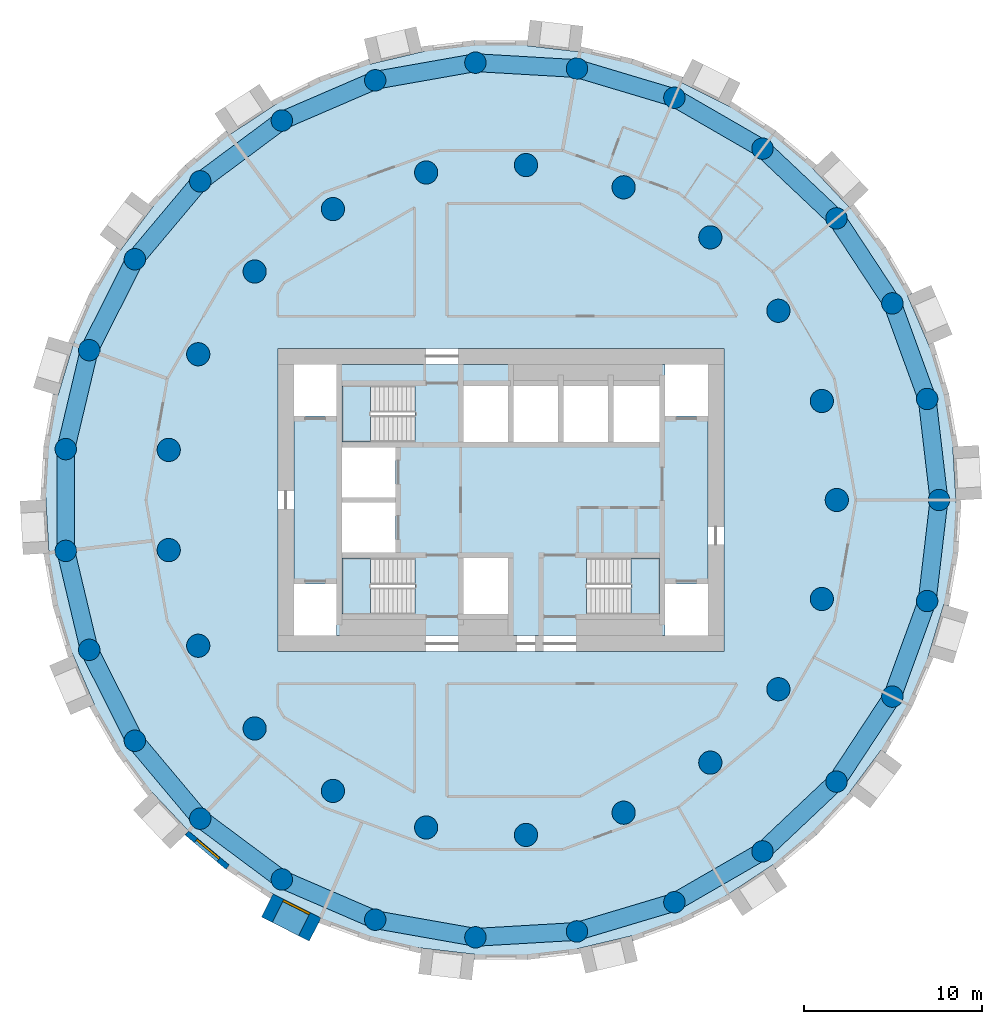
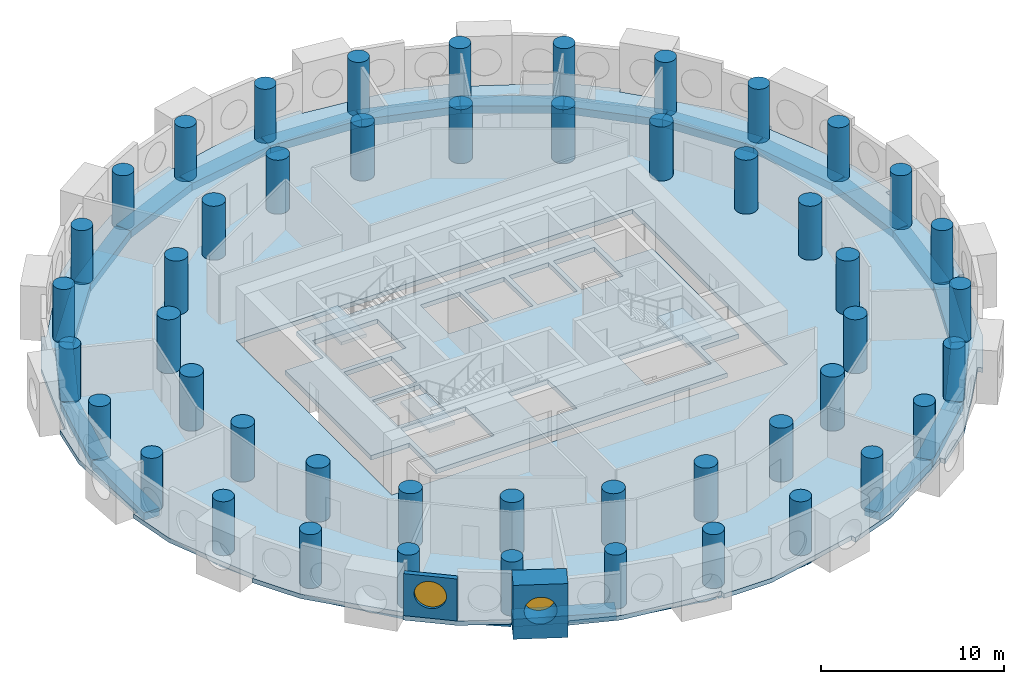
# One storey, part 1 of 9: 48 columns, 27 beams, 5 slabs, 2 walls, 2 windows, 2 openings, 3 elements without a shape of their own.
"""IFC4 building model written with IfcOpenShell, lengths in metres."""

from ifc_helpers import new_model, si_unit, direction, frame, frame_2d, origin, origin_2d, place, context, subcontext, project, spatial, polyline, rectangle, circle, outline, extrude, material, layer, layer_set, material_profile, profile_set, type_object, element, fill, aggregate, save


model = new_model("IFC4")

# Units and contexts
model_context = context("Model", 3, precision=1e-05, world=origin(), true_north=direction((0.0, 1.0)))
body_context = subcontext(model_context, "Body", "Model", "MODEL_VIEW")
ifc_project = project(units=[si_unit("LENGTHUNIT", "METRE"), si_unit("AREAUNIT", "SQUARE_METRE"), si_unit("VOLUMEUNIT", "CUBIC_METRE"), si_unit("PLANEANGLEUNIT", "RADIAN"), si_unit("MASSUNIT", "GRAM", prefix="KILO")], contexts=[model_context])

# Site, building, storey
site_placement = place(None, origin())
site = spatial("IfcSite", under=ifc_project, at=site_placement, CompositionType="ELEMENT")
building_placement = place(site_placement, origin())
building = spatial("IfcBuilding", under=site, at=building_placement, Name="Tracery Tower", CompositionType="ELEMENT")
storey_placement = place(building_placement, frame((0.0, 0.0, 154.800048828125)))
storey = spatial("IfcBuildingStorey", under=building, at=storey_placement, Name="L39", CompositionType="ELEMENT", Elevation=154.800048828125)

# Columns
ifc_material_1 = material(Name="Concrete C50/60", Category="concrete")
ifc_material_profile_1 = material_profile(ifc_material_1, circle(Radius=0.60009765625, at=origin_2d()), Name="RC D1200")
ifc_profile_set_1 = profile_set([ifc_material_profile_1], Name="Concrete C50/60")
column_type_1 = type_object("IfcColumnType", Name="Ring 1 column 1200", PredefinedType="COLUMN", material=ifc_profile_set_1)
for number, where, z_axis, x_axis, name in (
    (1, (24.547607421875, 0.0, 0.0), (0.0, 0.0, 1.0), (1.0, 0.0, 0.0), "Ring 1 column 00 at L39"),
    (2, (23.885986328125, 5.6611328125, 0.0), (0.0, 0.0, 1.0), (1.0, 0.0, 0.0), "Ring 1 column 01 at L39"),
    (3, (21.9365234375, 11.01708984375, 0.0), (0.0, 0.0, 1.0), (1.0, 0.0, 0.0), "Ring 1 column 02 at L39"),
    (4, (18.8046875, 15.779052734375, 0.0), (0.0, 0.0, 1.0), (1.0, 0.0, 0.0), "Ring 1 column 03 at L39"),
    (5, (14.658935546875, 19.690185546875, 0.0), (0.0, 0.0, 1.0), (1.0, 0.0, 0.0), "Ring 1 column 04 at L39"),
    (6, (9.722900390625, 22.5400390625, 0.0), (0.0, 0.0, 1.0), (1.0, 0.0, 0.0), "Ring 1 column 05 at L39"),
    (7, (4.2626953125, 24.1748046875, 0.0), (0.0, 0.0, 1.0), (1.0, 0.0, 0.0), "Ring 1 column 06 at L39"),
    (8, (-1.42724609375, 24.506103515625, 0.0), (0.0, 0.0, 1.0), (1.0, 0.0, 0.0), "Ring 1 column 07 at L39"),
    (9, (-7.040283203125, 23.516357421875, 0.0), (0.0, 0.0, 1.0), (1.0, 0.0, 0.0), "Ring 1 column 08 at L39"),
    (10, (-12.273681640625, 21.2587890625, 0.0), (0.0, 0.0, 1.0), (1.0, 0.0, 0.0), "Ring 1 column 09 at L39"),
    (11, (-16.845703125, 17.855224609375, 0.0), (0.0, 0.0, 1.0), (1.0, 0.0, 0.0), "Ring 1 column 10 at L39"),
    (12, (-20.50927734375, 13.4892578125, 0.0), (0.0, 0.0, 1.0), (1.0, 0.0, 0.0), "Ring 1 column 11 at L39"),
    (13, (-23.0673828125, 8.395751953125, 0.0), (0.0, 0.0, 1.0), (1.0, 0.0, 0.0), "Ring 1 column 12 at L39"),
    (14, (-24.381591796875, 2.849853515625, 0.0), (0.0, 0.0, 1.0), (1.0, 0.0, 0.0), "Ring 1 column 13 at L39"),
    (15, (-24.381591796875, -2.849853515625, 0.0), (0.0, 0.0, 1.0), (1.0, 0.0, 0.0), "Ring 1 column 14 at L39"),
    (16, (-23.0673828125, -8.395751953125, 0.0), (0.0, 0.0, 1.0), (1.0, 0.0, 0.0), "Ring 1 column 15 at L39"),
    (17, (-20.50927734375, -13.4892578125, 0.0), (0.0, 0.0, 1.0), (1.0, 0.0, 0.0), "Ring 1 column 16 at L39"),
    (18, (-16.845703125, -17.85546875, 0.0), (0.0, 0.0, 1.0), (1.0, 0.0, 0.0), "Ring 1 column 17 at L39"),
    (19, (-12.27392578125, -21.2587890625, 0.0), (0.0, 0.0, 1.0), (1.0, 0.0, 0.0), "Ring 1 column 18 at L39"),
    (20, (-7.040283203125, -23.516357421875, 0.0), (0.0, 0.0, 1.0), (1.0, 0.0, 0.0), "Ring 1 column 19 at L39"),
    (21, (-1.42724609375, -24.506103515625, 0.0), (0.0, 0.0, 1.0), (1.0, 0.0, 0.0), "Ring 1 column 20 at L39"),
    (22, (4.2626953125, -24.1748046875, 0.0), (0.0, 0.0, 1.0), (1.0, 0.0, 0.0), "Ring 1 column 21 at L39"),
    (23, (9.722900390625, -22.5400390625, 0.0), (0.0, 0.0, 1.0), (1.0, 0.0, 0.0), "Ring 1 column 22 at L39"),
    (24, (14.658935546875, -19.690185546875, 0.0), (0.0, 0.0, 1.0), (1.0, 0.0, 0.0), "Ring 1 column 23 at L39"),
    (25, (18.8046875, -15.779052734375, 0.0), (0.0, 0.0, 1.0), (1.0, 0.0, 0.0), "Ring 1 column 24 at L39"),
    (26, (21.9365234375, -11.01708984375, 0.0), (0.0, 0.0, 1.0), (1.0, 0.0, 0.0), "Ring 1 column 25 at L39"),
    (27, (23.885986328125, -5.6611328125, 0.0), (0.0, 0.0, 1.0), (1.0, 0.0, 0.0), "Ring 1 column 26 at L39"),
):
    element("IfcColumn", number, at=place(storey_placement, frame(where, z_axis=z_axis, x_axis=x_axis)), inside=storey, type_object=column_type_1, Name=name, PredefinedType="COLUMN", context=body_context, shape_type="SweptSolid", body=[
        extrude(circle(Radius=0.60009765625, at=origin_2d()), origin(), (0.0, 0.0, 1.0), 3.599853515625),
    ])
ifc_material_2 = material(Name="Concrete C50/60", Category="concrete")
ifc_material_profile_2 = material_profile(ifc_material_2, circle(Radius=0.64990234375, at=origin_2d()), Name="RC D1300")
ifc_profile_set_2 = profile_set([ifc_material_profile_2], Name="Concrete C50/60")
column_type_2 = type_object("IfcColumnType", Name="Ring 2 column 1300", PredefinedType="COLUMN", material=ifc_profile_set_2)
for number, where, z_axis, x_axis, name in (
    (28, (18.822265625, 0.0, 0.0), (0.0, 0.0, 1.0), (1.0, 0.0, 0.0), "Ring 2 column 00 at L39"),
    (29, (17.986083984375, 5.5478515625, 0.0), (0.0, 0.0, 1.0), (1.0, 0.0, 0.0), "Ring 2 column 01 at L39"),
    (30, (15.551513671875, 10.602783203125, 0.0), (0.0, 0.0, 1.0), (1.0, 0.0, 0.0), "Ring 2 column 02 at L39"),
    (31, (11.7353515625, 14.7158203125, 0.0), (0.0, 0.0, 1.0), (1.0, 0.0, 0.0), "Ring 2 column 03 at L39"),
    (32, (6.87646484375, 17.52099609375, 0.0), (0.0, 0.0, 1.0), (1.0, 0.0, 0.0), "Ring 2 column 04 at L39"),
    (33, (1.406494140625, 18.76953125, 0.0), (0.0, 0.0, 1.0), (1.0, 0.0, 0.0), "Ring 2 column 05 at L39"),
    (34, (-4.188232421875, 18.350341796875, 0.0), (0.0, 0.0, 1.0), (1.0, 0.0, 0.0), "Ring 2 column 06 at L39"),
    (35, (-9.4111328125, 16.300537109375, 0.0), (0.0, 0.0, 1.0), (1.0, 0.0, 0.0), "Ring 2 column 07 at L39"),
    (36, (-13.797607421875, 12.802490234375, 0.0), (0.0, 0.0, 1.0), (1.0, 0.0, 0.0), "Ring 2 column 08 at L39"),
    (37, (-16.958251953125, 8.16650390625, 0.0), (0.0, 0.0, 1.0), (1.0, 0.0, 0.0), "Ring 2 column 09 at L39"),
    (38, (-18.612060546875, 2.805419921875, 0.0), (0.0, 0.0, 1.0), (1.0, 0.0, 0.0), "Ring 2 column 10 at L39"),
    (39, (-18.612060546875, -2.805419921875, 0.0), (0.0, 0.0, 1.0), (1.0, 0.0, 0.0), "Ring 2 column 11 at L39"),
    (40, (-16.958251953125, -8.166748046875, 0.0), (0.0, 0.0, 1.0), (1.0, 0.0, 0.0), "Ring 2 column 12 at L39"),
    (41, (-13.797607421875, -12.80224609375, 0.0), (0.0, 0.0, 1.0), (1.0, 0.0, 0.0), "Ring 2 column 13 at L39"),
    (42, (-9.4111328125, -16.300537109375, 0.0), (0.0, 0.0, 1.0), (1.0, 0.0, 0.0), "Ring 2 column 14 at L39"),
    (43, (-4.188232421875, -18.350341796875, 0.0), (0.0, 0.0, 1.0), (1.0, 0.0, 0.0), "Ring 2 column 15 at L39"),
    (44, (1.406494140625, -18.76953125, 0.0), (0.0, 0.0, 1.0), (1.0, 0.0, 0.0), "Ring 2 column 16 at L39"),
    (45, (6.87646484375, -17.52099609375, 0.0), (0.0, 0.0, 1.0), (1.0, 0.0, 0.0), "Ring 2 column 17 at L39"),
    (46, (11.7353515625, -14.7158203125, 0.0), (0.0, 0.0, 1.0), (1.0, 0.0, 0.0), "Ring 2 column 18 at L39"),
    (47, (15.551513671875, -10.602783203125, 0.0), (0.0, 0.0, 1.0), (1.0, 0.0, 0.0), "Ring 2 column 19 at L39"),
    (48, (17.986083984375, -5.5478515625, 0.0), (0.0, 0.0, 1.0), (1.0, 0.0, 0.0), "Ring 2 column 20 at L39"),
):
    element("IfcColumn", number, at=place(storey_placement, frame(where, z_axis=z_axis, x_axis=x_axis)), inside=storey, type_object=column_type_2, Name=name, PredefinedType="COLUMN", context=body_context, shape_type="SweptSolid", body=[
        extrude(circle(Radius=0.64990234375, at=origin_2d()), origin(), (0.0, 0.0, 1.0), 3.599853515625),
    ])

# Beams
ifc_material_3 = material(Name="Concrete C50/60", Category="concrete")
ifc_material_profile_3 = material_profile(ifc_material_3, rectangle(XDim=1.0, YDim=0.5, at=origin_2d()), Name="RC 1000x500")
ifc_profile_set_3 = profile_set([ifc_material_profile_3], Name="Concrete C50/60")
beam_type = type_object("IfcBeamType", Name="Perimeter band beam 1000x500", PredefinedType="BEAM", material=ifc_profile_set_3)
for number, where, z_axis, x_axis, name in (
    (49, (24.547607421875, 0.0, -0.550048828125), (-0.116080723252, 0.993239782575, 0.0), (-0.993239782575, -0.116080723252, 0.0), "Perimeter beam 1.00 under L39"),
    (50, (23.885986328125, 5.6611328125, -0.550048828125), (-0.342028502279, 0.939689578334, 0.0), (-0.939689578334, -0.342028502279, 0.0), "Perimeter beam 1.01 under L39"),
):
    element("IfcBeam", number, at=place(storey_placement, frame(where, z_axis=z_axis, x_axis=x_axis)), inside=storey, type_object=beam_type, Name=name, PredefinedType="BEAM", context=body_context, shape_type="SweptSolid", body=[
        extrude(rectangle(XDim=1.0, YDim=0.5, at=origin_2d()), origin(), (0.0, 0.0, 1.0), 5.69970703125),
    ])
for number, where, z_axis, x_axis, name in (
    (51, (21.9365234375, 11.01708984375, -0.550048828125), (-0.549489832182, 0.835500403548, 0.0), (-0.835500403548, -0.549489832182, 0.0), "Perimeter beam 1.02 under L39"),
    (52, (18.8046875, 15.779052734375, -0.550048828125), (-0.727389618263, 0.686224703172, 0.0), (-0.686224703172, -0.727389618263, 0.0), "Perimeter beam 1.03 under L39"),
):
    element("IfcBeam", number, at=place(storey_placement, frame(where, z_axis=z_axis, x_axis=x_axis)), inside=storey, type_object=beam_type, Name=name, PredefinedType="BEAM", context=body_context, shape_type="SweptSolid", body=[
        extrude(rectangle(XDim=1.0, YDim=0.5, at=origin_2d()), origin(), (0.0, 0.0, 1.0), 5.699462890625),
    ])
for number, where, z_axis, x_axis, name in (
    (53, (14.658935546875, 19.690185546875, -0.550048828125), (-0.866022950691, 0.500004248858, 0.0), (-0.500004248858, -0.866022950691, 0.0), "Perimeter beam 1.04 under L39"),
    (54, (9.722900390625, 22.5400390625, -0.550048828125), (-0.957985292634, 0.28681732705, 0.0), (-0.28681732705, -0.957985292634, 0.0), "Perimeter beam 1.05 under L39"),
):
    element("IfcBeam", number, at=place(storey_placement, frame(where, z_axis=z_axis, x_axis=x_axis)), inside=storey, type_object=beam_type, Name=name, PredefinedType="BEAM", context=body_context, shape_type="SweptSolid", body=[
        extrude(rectangle(XDim=1.0, YDim=0.5, at=origin_2d()), origin(), (0.0, 0.0, 1.0), 5.69970703125),
    ])
beam_1_placement = place(storey_placement, frame((4.2626953125, 24.1748046875, -0.550048828125), z_axis=(-0.99830920221, 0.058126902403, 0.0), x_axis=(-0.058126902403, -0.99830920221, 0.0)))
element("IfcBeam", 55, at=beam_1_placement, inside=storey, type_object=beam_type, Name="Perimeter beam 1.06 under L39", PredefinedType="BEAM", context=body_context, shape_type="SweptSolid", body=[
    extrude(rectangle(XDim=1.0, YDim=0.5, at=origin_2d()), origin(), (0.0, 0.0, 1.0), 5.699462890625),
])
beam_2_placement = place(storey_placement, frame((-1.42724609375, 24.506103515625, -0.550048828125), z_axis=(-0.984807266719, -0.173650935552, 0.0), x_axis=(0.173650935552, -0.984807266719, 0.0)))
element("IfcBeam", 56, at=beam_2_placement, inside=storey, type_object=beam_type, Name="Perimeter beam 1.07 under L39", PredefinedType="BEAM", context=body_context, shape_type="SweptSolid", body=[
    extrude(rectangle(XDim=1.0, YDim=0.5, at=origin_2d()), origin(), (0.0, 0.0, 1.0), 5.69970703125),
])
beam_3_placement = place(storey_placement, frame((-7.040283203125, 23.516357421875, -0.550048828125), z_axis=(-0.918209685525, -0.396094652083, 0.0), x_axis=(0.396094652083, -0.918209685525, 0.0)))
element("IfcBeam", 57, at=beam_3_placement, inside=storey, type_object=beam_type, Name="Perimeter beam 1.08 under L39", PredefinedType="BEAM", context=body_context, shape_type="SweptSolid", body=[
    extrude(rectangle(XDim=1.0, YDim=0.5, at=origin_2d()), origin(), (0.0, 0.0, 1.0), 5.699462890625),
])
beam_4_placement = place(storey_placement, frame((-12.273681640625, 21.2587890625, -0.550048828125), z_axis=(-0.802138271299, -0.59713833717, 0.0), x_axis=(0.59713833717, -0.802138271299, 0.0)))
element("IfcBeam", 58, at=beam_4_placement, inside=storey, type_object=beam_type, Name="Perimeter beam 1.09 under L39", PredefinedType="BEAM", context=body_context, shape_type="SweptSolid", body=[
    extrude(rectangle(XDim=1.0, YDim=0.5, at=origin_2d()), origin(), (0.0, 0.0, 1.0), 5.69970703125),
])
beam_5_placement = place(storey_placement, frame((-16.845703125, 17.855224609375, -0.550048828125), z_axis=(-0.642797194343, -0.766036400535, 0.0), x_axis=(0.766036400535, -0.642797194343, 0.0)))
element("IfcBeam", 59, at=beam_5_placement, inside=storey, type_object=beam_type, Name="Perimeter beam 1.10 under L39", PredefinedType="BEAM", context=body_context, shape_type="SweptSolid", body=[
    extrude(rectangle(XDim=1.0, YDim=0.5, at=origin_2d()), origin(), (0.0, 0.0, 1.0), 5.699462890625),
])
beam_6_placement = place(storey_placement, frame((-20.50927734375, 13.4892578125, -0.550048828125), z_axis=(-0.448806280933, -0.893629074166, 0.0), x_axis=(0.893629074166, -0.448806280933, 0.0)))
element("IfcBeam", 60, at=beam_6_placement, inside=storey, type_object=beam_type, Name="Perimeter beam 1.11 under L39", PredefinedType="BEAM", context=body_context, shape_type="SweptSolid", body=[
    extrude(rectangle(XDim=1.0, YDim=0.5, at=origin_2d()), origin(), (0.0, 0.0, 1.0), 5.69970703125),
])
beam_7_placement = place(storey_placement, frame((-23.0673828125, 8.395751953125, -0.550048828125), z_axis=(-0.230583793756, -0.973052472407, 0.0), x_axis=(0.973052472407, -0.230583793756, 0.0)))
element("IfcBeam", 61, at=beam_7_placement, inside=storey, type_object=beam_type, Name="Perimeter beam 1.12 under L39", PredefinedType="BEAM", context=body_context, shape_type="SweptSolid", body=[
    extrude(rectangle(XDim=1.0, YDim=0.5, at=origin_2d()), origin(), (0.0, 0.0, 1.0), 5.699462890625),
])
beam_8_placement = place(storey_placement, frame((-24.381591796875, 2.849853515625, -0.550048828125), z_axis=(0.0, -1.0, 0.0), x_axis=(1.0, 0.0, 0.0)))
element("IfcBeam", 62, at=beam_8_placement, inside=storey, type_object=beam_type, Name="Perimeter beam 1.13 under L39", PredefinedType="BEAM", context=body_context, shape_type="SweptSolid", body=[
    extrude(rectangle(XDim=1.0, YDim=0.5, at=origin_2d()), origin(), (0.0, 0.0, 1.0), 5.69970703125),
])
beam_9_placement = place(storey_placement, frame((-24.381591796875, -2.849853515625, -0.550048828125), z_axis=(0.230583793756, -0.973052472407, 0.0), x_axis=(0.973052472407, 0.230583793756, 0.0)))
element("IfcBeam", 63, at=beam_9_placement, inside=storey, type_object=beam_type, Name="Perimeter beam 1.14 under L39", PredefinedType="BEAM", context=body_context, shape_type="SweptSolid", body=[
    extrude(rectangle(XDim=1.0, YDim=0.5, at=origin_2d()), origin(), (0.0, 0.0, 1.0), 5.699462890625),
])
for number, where, z_axis, x_axis, name in (
    (64, (-23.0673828125, -8.395751953125, -0.550048828125), (0.448806280933, -0.893629074166, 0.0), (0.893629074166, 0.448806280933, 0.0), "Perimeter beam 1.15 under L39"),
    (65, (-20.50927734375, -13.4892578125, -0.550048828125), (0.64277610208, -0.766054099, 0.0), (0.766054099, 0.64277610208, 0.0), "Perimeter beam 1.16 under L39"),
):
    element("IfcBeam", number, at=place(storey_placement, frame(where, z_axis=z_axis, x_axis=x_axis)), inside=storey, type_object=beam_type, Name=name, PredefinedType="BEAM", context=body_context, shape_type="SweptSolid", body=[
        extrude(rectangle(XDim=1.0, YDim=0.5, at=origin_2d()), origin(), (0.0, 0.0, 1.0), 5.69970703125),
    ])
beam_10_placement = place(storey_placement, frame((-16.845703125, -17.85546875, -0.550048828125), z_axis=(0.802143514942, -0.597131293298, 0.0), x_axis=(0.597131293298, 0.802143514942, 0.0)))
element("IfcBeam", 66, at=beam_10_placement, inside=storey, type_object=beam_type, Name="Perimeter beam 1.17 under L39", PredefinedType="BEAM", context=body_context, shape_type="SweptSolid", body=[
    extrude(rectangle(XDim=1.0, YDim=0.5, at=origin_2d()), origin(), (0.0, 0.0, 1.0), 5.699462890625),
])
for number, where, z_axis, x_axis, name in (
    (67, (-12.27392578125, -21.2587890625, -0.550048828125), (0.918216405543, -0.39607907366, 0.0), (0.39607907366, 0.918216405543, 0.0), "Perimeter beam 1.18 under L39"),
    (68, (-7.040283203125, -23.516357421875, -0.550048828125), (0.984807266719, -0.173650935552, 0.0), (0.173650935552, 0.984807266719, 0.0), "Perimeter beam 1.19 under L39"),
):
    element("IfcBeam", number, at=place(storey_placement, frame(where, z_axis=z_axis, x_axis=x_axis)), inside=storey, type_object=beam_type, Name=name, PredefinedType="BEAM", context=body_context, shape_type="SweptSolid", body=[
        extrude(rectangle(XDim=1.0, YDim=0.5, at=origin_2d()), origin(), (0.0, 0.0, 1.0), 5.69970703125),
    ])
beam_11_placement = place(storey_placement, frame((-1.42724609375, -24.506103515625, -0.550048828125), z_axis=(0.99830920221, 0.058126902403, 0.0), x_axis=(-0.058126902403, 0.99830920221, 0.0)))
element("IfcBeam", 69, at=beam_11_placement, inside=storey, type_object=beam_type, Name="Perimeter beam 1.20 under L39", PredefinedType="BEAM", context=body_context, shape_type="SweptSolid", body=[
    extrude(rectangle(XDim=1.0, YDim=0.5, at=origin_2d()), origin(), (0.0, 0.0, 1.0), 5.699462890625),
])
for number, where, z_axis, x_axis, name in (
    (70, (4.2626953125, -24.1748046875, -0.550048828125), (0.957985292634, 0.28681732705, 0.0), (-0.28681732705, 0.957985292634, 0.0), "Perimeter beam 1.21 under L39"),
    (71, (9.722900390625, -22.5400390625, -0.550048828125), (0.866022950691, 0.500004248858, 0.0), (-0.500004248858, 0.866022950691, 0.0), "Perimeter beam 1.22 under L39"),
):
    element("IfcBeam", number, at=place(storey_placement, frame(where, z_axis=z_axis, x_axis=x_axis)), inside=storey, type_object=beam_type, Name=name, PredefinedType="BEAM", context=body_context, shape_type="SweptSolid", body=[
        extrude(rectangle(XDim=1.0, YDim=0.5, at=origin_2d()), origin(), (0.0, 0.0, 1.0), 5.69970703125),
    ])
for number, where, z_axis, x_axis, name in (
    (72, (14.658935546875, -19.690185546875, -0.550048828125), (0.727389618263, 0.686224703172, 0.0), (-0.686224703172, 0.727389618263, 0.0), "Perimeter beam 1.23 under L39"),
    (73, (18.8046875, -15.779052734375, -0.550048828125), (0.549489832182, 0.835500403548, 0.0), (-0.835500403548, 0.549489832182, 0.0), "Perimeter beam 1.24 under L39"),
):
    element("IfcBeam", number, at=place(storey_placement, frame(where, z_axis=z_axis, x_axis=x_axis)), inside=storey, type_object=beam_type, Name=name, PredefinedType="BEAM", context=body_context, shape_type="SweptSolid", body=[
        extrude(rectangle(XDim=1.0, YDim=0.5, at=origin_2d()), origin(), (0.0, 0.0, 1.0), 5.699462890625),
    ])
for number, where, z_axis, x_axis, name in (
    (74, (21.9365234375, -11.01708984375, -0.550048828125), (0.342028502279, 0.939689578334, 0.0), (-0.939689578334, 0.342028502279, 0.0), "Perimeter beam 1.25 under L39"),
    (75, (23.885986328125, -5.6611328125, -0.550048828125), (0.116080723252, 0.993239782575, 0.0), (-0.993239782575, 0.116080723252, 0.0), "Perimeter beam 1.26 under L39"),
):
    element("IfcBeam", number, at=place(storey_placement, frame(where, z_axis=z_axis, x_axis=x_axis)), inside=storey, type_object=beam_type, Name=name, PredefinedType="BEAM", context=body_context, shape_type="SweptSolid", body=[
        extrude(rectangle(XDim=1.0, YDim=0.5, at=origin_2d()), origin(), (0.0, 0.0, 1.0), 5.69970703125),
    ])

# Slabs
ifc_material_4 = material(Name="Concrete C50/60", Category="concrete")
ifc_layer_1 = layer(ifc_material_4, 0.300048828125)
ifc_layer_set_1 = layer_set([ifc_layer_1], Name="Core floor slab 300 C50")
slab_type_1 = type_object("IfcSlabType", Name="Core floor slab 300 C50", PredefinedType="FLOOR", material=ifc_layer_set_1)
slab_1_placement = place(storey_placement, frame((0.0, 0.0, -0.300048828125)))
element("IfcSlab", 76, at=slab_1_placement, inside=storey, type_object=slab_type_1, Name="L39 core floor 1", PredefinedType="FLOOR", context=body_context, shape_type="SweptSolid", body=[
    extrude(outline(polyline([(-9.199951171875, 7.60009765625), (9.199951171875, 7.60009765625), (9.199951171875, 4.699951171875), (11.60009765625, 4.699951171875), (11.60009765625, -4.699951171875), (9.199951171875, -4.699951171875), (9.199951171875, -7.60009765625), (-9.199951171875, -7.60009765625), (-9.199951171875, -4.699951171875), (-11.60009765625, -4.699951171875), (-11.60009765625, 4.699951171875), (-9.199951171875, 4.699951171875), (-9.199951171875, 7.60009765625)]), holes=[polyline([(4.800537109375, -6.39990234375), (8.89990234375, -6.39990234375), (8.89990234375, -3.25), (4.800537109375, -3.25), (4.800537109375, -6.39990234375)]), polyline([(8.89990234375, 3.25), (8.89990234375, 6.39990234375), (6.300048828125, 6.39990234375), (6.300048828125, 3.25), (8.89990234375, 3.25)]), polyline([(6.0, 3.25), (6.0, 6.39990234375), (3.5, 6.39990234375), (3.5, 3.25), (6.0, 3.25)]), polyline([(3.199951171875, 3.25), (3.199951171875, 6.39990234375), (0.699951171875, 6.39990234375), (0.699951171875, 3.25), (3.199951171875, 3.25)]), polyline([(-2.10009765625, 3.25), (0.39990234375, 3.25), (0.39990234375, 6.39990234375), (-2.10009765625, 6.39990234375), (-2.10009765625, 3.25)]), polyline([(0.39990234375, -6.39990234375), (0.39990234375, -3.25), (-2.10009765625, -3.25), (-2.10009765625, -6.39990234375), (0.39990234375, -6.39990234375)]), polyline([(-4.800537109375, -3.25), (-8.89990234375, -3.25), (-8.89990234375, -6.39990234375), (-4.800537109375, -6.39990234375), (-4.800537109375, -3.25)]), polyline([(-4.800537109375, 6.39990234375), (-8.89990234375, 6.39990234375), (-8.89990234375, 3.25), (-4.800537109375, 3.25), (-4.800537109375, 6.39990234375)]), polyline([(-5.89990234375, -2.949951171875), (-5.89990234375, -0.14990234375), (-8.89990234375, -0.14990234375), (-8.89990234375, -2.949951171875), (-5.89990234375, -2.949951171875)]), polyline([(-5.89990234375, 0.14990234375), (-5.89990234375, 2.949951171875), (-8.89990234375, 2.949951171875), (-8.89990234375, 0.14990234375), (-5.89990234375, 0.14990234375)])]), origin(), (0.0, 0.0, 1.0), 0.300048828125),
])
ifc_material_5 = material(Name="Concrete C40/50", Category="concrete")
ifc_layer_2 = layer(ifc_material_5, 0.300048828125)
ifc_layer_set_2 = layer_set([ifc_layer_2], Name="Floor slab 300")
slab_type_2 = type_object("IfcSlabType", Name="Floor slab 300", PredefinedType="FLOOR", material=ifc_layer_set_2)
slab_2_placement = place(storey_placement, frame((0.0, 0.0, -0.300048828125)))
element("IfcSlab", 77, at=slab_2_placement, inside=storey, type_object=slab_type_2, Name="Floor slab L39", PredefinedType="FLOOR", context=body_context, shape_type="SweptSolid", body=[
    extrude(outline(polyline([(22.78515625, 11.443115234375), (22.7783203125, 11.459228515625), (23.0537109375, 11.577880859375), (21.5537109375, 14.176025390625), (19.533203125, 16.387939453125), (18.208740234375, 17.791748046875), (17.497314453125, 18.5458984375), (17.497314453125, 18.5458984375), (17.485107421875, 18.55859375), (17.70361328125, 18.7646484375), (15.4052734375, 20.69287109375), (12.74853515625, 22.081298828125), (10.098876953125, 23.411865234375), (10.098876953125, 23.411865234375), (10.083251953125, 23.419921875), (10.217529296875, 23.68701171875), (10.218017578125, 23.68798828125), (7.39892578125, 24.7138671875), (4.427490234375, 25.10986328125), (3.055908203125, 25.27001953125), (1.465087890625, 25.4560546875), (1.5, 25.75390625), (1.5, 25.754150390625), (-1.5, 25.754150390625), (-4.427490234375, 25.10986328125), (-7.312744140625, 24.426025390625), (-7.312744140625, 24.426025390625), (-7.32958984375, 24.422119140625), (-7.398681640625, 24.713134765625), (-7.39892578125, 24.7138671875), (-10.218017578125, 23.68798828125), (-12.74853515625, 22.081298828125), (-13.4443359375, 21.623779296875), (-15.240478515625, 20.4423828125), (-15.4052734375, 20.69287109375), (-15.4052734375, 20.69287109375), (-17.70361328125, 18.7646484375), (-19.531005859375, 16.390625), (-20.657958984375, 14.876953125), (-21.302490234375, 14.010986328125), (-21.302490234375, 14.010986328125), (-21.31298828125, 13.996826171875), (-21.5537109375, 14.176025390625), (-23.0537109375, 11.577880859375), (-23.95947265625, 8.720703125), (-24.694580078125, 6.265380859375), (-24.81494140625, 5.86328125), (-25.102294921875, 5.949462890625), (-25.623291015625, 2.994873046875), (-25.497314453125, 0.00048828125), (-25.32373046875, -2.9775390625), (-25.623291015625, -2.994873046875), (-25.102294921875, -5.949462890625), (-23.95947265625, -8.720703125), (-22.78515625, -11.443115234375), (-22.78515625, -11.443115234375), (-22.7783203125, -11.459228515625), (-23.0537109375, -11.577880859375), (-21.5537109375, -14.176025390625), (-19.533203125, -16.387939453125), (-18.208740234375, -17.791748046875), (-17.497314453125, -18.5458984375), (-17.497314453125, -18.5458984375), (-17.485107421875, -18.55859375), (-17.70361328125, -18.7646484375), (-15.4052734375, -20.69287109375), (-12.74853515625, -22.081298828125), (-10.098876953125, -23.411865234375), (-10.098876953125, -23.411865234375), (-10.083251953125, -23.419921875), (-10.217529296875, -23.68701171875), (-10.218017578125, -23.68798828125), (-7.39892578125, -24.7138671875), (-4.427490234375, -25.10986328125), (-3.055908203125, -25.27001953125), (-1.465087890625, -25.4560546875), (-1.5, -25.75390625), (-1.5, -25.754150390625), (1.5, -25.754150390625), (4.427490234375, -25.10986328125), (7.312744140625, -24.426025390625), (7.312744140625, -24.426025390625), (7.32958984375, -24.422119140625), (7.398681640625, -24.713134765625), (7.39892578125, -24.7138671875), (10.218017578125, -23.68798828125), (12.74853515625, -22.081298828125), (13.4443359375, -21.623779296875), (15.240478515625, -20.4423828125), (15.4052734375, -20.69287109375), (15.4052734375, -20.69287109375), (17.70361328125, -18.7646484375), (19.531005859375, -16.390625), (20.657958984375, -14.876953125), (21.302490234375, -14.010986328125), (21.302490234375, -14.010986328125), (21.31298828125, -13.996826171875), (21.5537109375, -14.176025390625), (23.0537109375, -11.577880859375), (23.95947265625, -8.720703125), (24.694580078125, -6.265380859375), (24.81494140625, -5.86328125), (25.102294921875, -5.949462890625), (25.623291015625, -2.994873046875), (25.497314453125, -0.00048828125), (25.32373046875, 2.9775390625), (25.623291015625, 2.994873046875), (25.102294921875, 5.949462890625), (23.95947265625, 8.720703125), (22.78515625, 11.443115234375), (22.78515625, 11.443115234375)]), holes=[polyline([(-12.5, -8.5), (12.5, -8.5), (12.5, 8.5), (-12.5, 8.5), (-12.5, -8.5)])]), origin(), (0.0, 0.0, 1.0), 0.300048828125),
])

# Stair, slab
ifc_material_6 = material(Name="Concrete C32/40", Category="concrete")
stair_type = type_object("IfcStairType", Name="Core stair 22 risers", PredefinedType="HALF_TURN_STAIR", material=ifc_material_6)
stair_1_placement = place(storey_placement, origin())
stair_1 = element("IfcStair", 78, at=stair_1_placement, inside=storey, type_object=stair_type, Name="L39 stair ST1", PredefinedType="HALF_TURN_STAIR")
ifc_material_7 = material(Name="Concrete C32/40", Category="concrete")
ifc_layer_3 = layer(ifc_material_7, 0.199951171875)
ifc_layer_set_3 = layer_set([ifc_layer_3], Name="Stair landing slab 200")
slab_type_3 = type_object("IfcSlabType", Name="Stair landing slab 200", PredefinedType="LANDING", material=ifc_layer_set_3)
slab_3_placement = place(storey_placement, frame((0.0, 0.0, 1.599853515625)))
slab_3 = element("IfcSlab", 79, at=slab_3_placement, type_object=slab_type_3, Name="ST1 landing 1", PredefinedType="LANDING", context=body_context, shape_type="SweptSolid", body=[
    extrude(outline(polyline([(-7.29931640625, -3.25), (-8.89990234375, -3.25), (-8.89990234375, -6.39990234375), (-7.29931640625, -6.39990234375), (-7.29931640625, -3.25)])), origin(), (0.0, 0.0, 1.0), 0.2001953125),
])
aggregate(stair_1, [slab_3])

stair_2_placement = place(storey_placement, origin())
stair_2 = element("IfcStair", 80, at=stair_2_placement, inside=storey, type_object=stair_type, Name="L39 stair ST3", PredefinedType="HALF_TURN_STAIR")
slab_4_placement = place(storey_placement, frame((0.0, 0.0, 1.599853515625)))
slab_4 = element("IfcSlab", 81, at=slab_4_placement, type_object=slab_type_3, Name="ST3 landing 1", PredefinedType="LANDING", context=body_context, shape_type="SweptSolid", body=[
    extrude(outline(polyline([(-7.29931640625, 6.39990234375), (-8.89990234375, 6.39990234375), (-8.89990234375, 3.25), (-7.29931640625, 3.25), (-7.29931640625, 6.39990234375)])), origin(), (0.0, 0.0, 1.0), 0.2001953125),
])
aggregate(stair_2, [slab_4])

stair_3_placement = place(storey_placement, origin())
stair_3 = element("IfcStair", 82, at=stair_3_placement, inside=storey, type_object=stair_type, Name="L39 stair ST2", PredefinedType="HALF_TURN_STAIR")
slab_5_placement = place(storey_placement, frame((0.0, 0.0, 1.599853515625)))
slab_5 = element("IfcSlab", 83, at=slab_5_placement, type_object=slab_type_3, Name="ST2 landing 1", PredefinedType="LANDING", context=body_context, shape_type="SweptSolid", body=[
    extrude(outline(polyline([(7.29931640625, -6.39990234375), (8.89990234375, -6.39990234375), (8.89990234375, -3.25), (7.29931640625, -3.25), (7.29931640625, -6.39990234375)])), origin(), (0.0, 0.0, 1.0), 0.2001953125),
])
aggregate(stair_3, [slab_5])

# Wall, opening, window
ifc_material_8 = material(Name="Precast concrete C50/60", Category="concrete")
ifc_layer_4 = layer(ifc_material_8, 1.449951171875)
ifc_layer_set_4 = layer_set([ifc_layer_4], Name="Deep-set bay unit 3000 x 3600, slab edge 300")
wall_type_1 = type_object("IfcWallType", Name="Deep-set bay unit 3000 x 3600, slab edge 300", PredefinedType="ELEMENTEDWALL", material=ifc_layer_set_4)
wall_1_placement = place(storey_placement, frame((-13.089599609375, -22.72119140625, -0.300048828125), z_axis=(0.0, 0.0, 1.0), x_axis=(0.893628249713, -0.448807922518, 0.0)))
wall_1 = element("IfcWall", 84, at=wall_1_placement, inside=storey, type_object=wall_type_1, Name="Deep-set bay unit 37 at L39", PredefinedType="ELEMENTEDWALL", context=body_context, shape_type="SweptSolid", body=[
    extrude(rectangle(XDim=3.0, YDim=1.449951171875, at=frame_2d((1.5, 0.0))), origin(), (0.0, 0.0, 1.0), 3.60009765625),
])
opening_1_placement = place(wall_1_placement, frame((1.5, 0.0, 1.85009765625)))
opening_1 = element("IfcOpeningElement", 85, at=opening_1_placement, cuts=wall_1, Name="Opening WN1", PredefinedType="OPENING", context=body_context, shape_type="SweptSolid", body=[
    extrude(circle(Radius=0.9000244140625, at=origin_2d()), frame((0.0, 0.73486328125, 0.0), z_axis=(0.0, -1.0, 0.0), x_axis=(1.0, 0.0, 0.0)), (0.0, 0.0, 1.0), 1.469970703125),
])
ifc_material_9 = material(Name="Aluminium frame with tinted double glazing", Category="aluminium")
window_type = type_object("IfcWindowType", Name="Round window 1800", PartitioningType="SINGLE_PANEL", PredefinedType="WINDOW", material=ifc_material_9)
window_1_placement = place(opening_1_placement, origin())
window_1 = element("IfcWindow", 86, at=window_1_placement, inside=storey, type_object=window_type, Name="Round window 37 at L39", OverallHeight=1.800048828125, OverallWidth=1.800048828125, PartitioningType="SINGLE_PANEL", PredefinedType="WINDOW", context=body_context, shape_type="SweptSolid", body=[
    extrude(circle(Radius=0.9000244140625, at=origin_2d()), frame((0.0, 0.69482421875, 0.0), z_axis=(0.0, -1.0, 0.0), x_axis=(1.0, 0.0, 0.0)), (0.0, 0.0, 1.0), 0.10009765625),
])
fill(opening_1, window_1)

ifc_material_10 = material(Name="Precast concrete C50/60", Category="concrete")
ifc_layer_5 = layer(ifc_material_10, 0.300048828125)
ifc_layer_set_5 = layer_set([ifc_layer_5], Name="Facade panel 3000 x 2800")
wall_type_2 = type_object("IfcWallType", Name="Facade panel 3000 x 2800", PredefinedType="SOLIDWALL", material=ifc_layer_set_5)
wall_2_placement = place(storey_placement, frame((-17.593017578125, -18.661376953125, 0.0), z_axis=(0.0, 0.0, 1.0), x_axis=(0.766008913364, -0.642829950023, 0.0)))
wall_2 = element("IfcWall", 87, at=wall_2_placement, inside=storey, type_object=wall_type_2, Name="Facade panel 35 at L39", PredefinedType="SOLIDWALL", context=body_context, shape_type="SweptSolid", body=[
    extrude(rectangle(XDim=2.972900390625, YDim=0.300048828125, at=frame_2d((1.486328125, 0.0))), origin(), (0.0, 0.0, 1.0), 2.800048828125),
])
opening_2_placement = place(wall_2_placement, frame((1.486328125, 0.0, 1.5498046875)))
opening_2 = element("IfcOpeningElement", 88, at=opening_2_placement, cuts=wall_2, Name="Opening WN1", PredefinedType="OPENING", context=body_context, shape_type="SweptSolid", body=[
    extrude(circle(Radius=0.9000244140625, at=origin_2d()), frame((0.0, 0.159912109375, 0.0), z_axis=(0.0, -1.0, 0.0), x_axis=(1.0, 0.0, 0.0)), (0.0, 0.0, 1.0), 0.320068359375),
])
window_2_placement = place(opening_2_placement, origin())
window_2 = element("IfcWindow", 89, at=window_2_placement, inside=storey, type_object=window_type, Name="Round window 35 at L39", OverallHeight=1.800048828125, OverallWidth=1.800048828125, PartitioningType="SINGLE_PANEL", PredefinedType="WINDOW", context=body_context, shape_type="SweptSolid", body=[
    extrude(circle(Radius=0.9000244140625, at=origin_2d()), frame((0.0, 0.1201171875, 0.0), z_axis=(0.0, -1.0, 0.0), x_axis=(1.0, 0.0, 0.0)), (0.0, 0.0, 1.0), 0.10009765625),
])
fill(opening_2, window_2)

save(model, "model.ifc")
